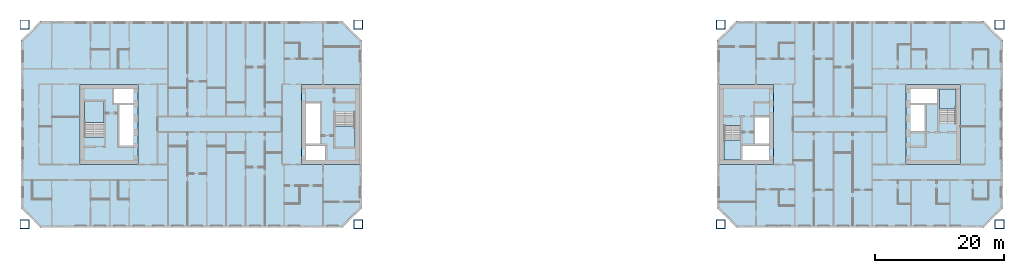
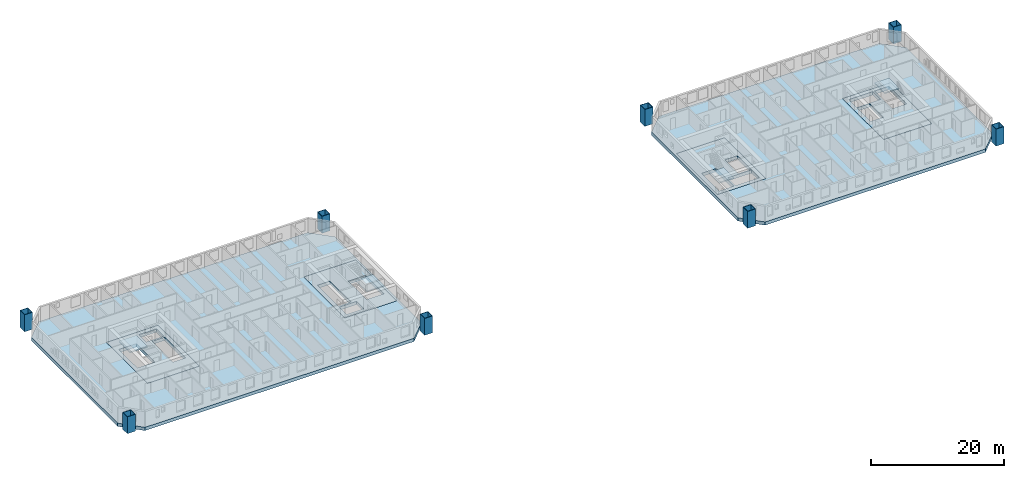
# One storey, part 1 of 17: 10 slabs, 8 columns, 4 elements without a shape of their own.
"""IFC4 building model written with IfcOpenShell, lengths in metres."""

from ifc_helpers import new_model, si_unit, direction, frame, origin, origin_2d, place, context, subcontext, project, spatial, polyline, hollow_rectangle, outline, extrude, material, layer, layer_set, material_profile, profile_set, type_object, element, aggregate, save


model = new_model("IFC4")

# Units and contexts
model_context = context("Model", 3, precision=1e-05, world=origin(), true_north=direction((0.0, 1.0)))
body_context = subcontext(model_context, "Body", "Model", "MODEL_VIEW")
ifc_project = project(units=[si_unit("LENGTHUNIT", "METRE"), si_unit("AREAUNIT", "SQUARE_METRE"), si_unit("VOLUMEUNIT", "CUBIC_METRE"), si_unit("PLANEANGLEUNIT", "RADIAN"), si_unit("MASSUNIT", "GRAM", prefix="KILO")], contexts=[model_context])

# Site, building, storey
site_placement = place(None, origin())
site = spatial("IfcSite", under=ifc_project, at=site_placement, CompositionType="ELEMENT")
building_placement = place(site_placement, origin())
building = spatial("IfcBuilding", under=site, at=building_placement, Name="Tuart Gate Housing", CompositionType="ELEMENT")
storey_placement = place(building_placement, frame((0.0, 0.0, 71.60009765625)))
storey = spatial("IfcBuildingStorey", under=building, at=storey_placement, Name="L19", CompositionType="ELEMENT", Elevation=71.60009765625)

# Columns
ifc_material_1 = material(Name="Steel Grade 350", Category="steel")
ifc_material_profile = material_profile(ifc_material_1, hollow_rectangle(XDim=1.39990234375, YDim=1.39990234375, WallThickness=0.074951171875, at=origin_2d()), Name="BOX 1400x1400x75")
ifc_profile_set = profile_set([ifc_material_profile], Name="Steel Grade 350")
column_type = type_object("IfcColumnType", Name="Mega column BOX 1400x1400x75", PredefinedType="COLUMN", material=ifc_profile_set)
for number, where, z_axis, x_axis, name in (
    (1, (23.800048828125, 54.550048828125, 0.0), (0.0, 0.0, 1.0), (1.0, 0.0, 0.0), "Mega column A south-west L19"),
    (2, (75.449951171875, 54.550048828125, 0.0), (0.0, 0.0, 1.0), (1.0, 0.0, 0.0), "Mega column A south-east L19"),
    (3, (75.449951171875, 85.449951171875, 0.0), (0.0, 0.0, 1.0), (1.0, 0.0, 0.0), "Mega column A north-east L19"),
    (4, (23.800048828125, 85.449951171875, 0.0), (0.0, 0.0, 1.0), (1.0, 0.0, 0.0), "Mega column A north-west L19"),
    (5, (131.550048828125, 54.550048828125, 0.0), (0.0, 0.0, 1.0), (1.0, 0.0, 0.0), "Mega column B south-west L19"),
    (6, (174.699951171875, 54.550048828125, 0.0), (0.0, 0.0, 1.0), (1.0, 0.0, 0.0), "Mega column B south-east L19"),
    (7, (174.699951171875, 85.449951171875, 0.0), (0.0, 0.0, 1.0), (1.0, 0.0, 0.0), "Mega column B north-east L19"),
    (8, (131.550048828125, 85.449951171875, 0.0), (0.0, 0.0, 1.0), (1.0, 0.0, 0.0), "Mega column B north-west L19"),
):
    element("IfcColumn", number, at=place(storey_placement, frame(where, z_axis=z_axis, x_axis=x_axis)), inside=storey, type_object=column_type, Name=name, PredefinedType="COLUMN", context=body_context, shape_type="SweptSolid", body=[
        extrude(hollow_rectangle(XDim=1.39990234375, YDim=1.39990234375, WallThickness=0.074951171875, at=origin_2d()), origin(), (0.0, 0.0, 1.0), 3.099853515625),
    ])

# Slabs
ifc_material_2 = material(Name="Concrete C40", Category="concrete")
ifc_layer_1 = layer(ifc_material_2, 0.60009765625)
ifc_layer_set_1 = layer_set([ifc_layer_1], Name="Core floor slab 600")
slab_type_1 = type_object("IfcSlabType", Name="Core floor slab 600", PredefinedType="FLOOR", material=ifc_layer_set_1)
slab_1_placement = place(storey_placement, frame((0.0, 0.0, -0.60009765625)))
element("IfcSlab", 9, at=slab_1_placement, inside=storey, type_object=slab_type_1, Name="Core floor AG", PredefinedType="FLOOR", context=body_context, shape_type="SweptSolid", body=[
    extrude(outline(polyline([(66.639892578125, 63.800048828125), (75.639892578125, 63.800048828125), (75.639892578125, 76.199951171875), (66.639892578125, 76.199951171875), (66.639892578125, 63.800048828125)]), holes=[polyline([(67.340087890625, 64.5), (70.360107421875, 64.5), (70.360107421875, 66.699951171875), (67.340087890625, 66.699951171875), (67.340087890625, 64.5)]), polyline([(67.340087890625, 67.0), (69.5400390625, 67.0), (69.5400390625, 73.300048828125), (67.340087890625, 73.300048828125), (67.340087890625, 67.0)]), polyline([(71.889892578125, 66.35009765625), (74.93994140625, 66.35009765625), (74.93994140625, 71.929931640625), (71.889892578125, 71.929931640625), (71.889892578125, 66.35009765625)])]), origin(), (0.0, 0.0, 1.0), 0.60009765625),
])
slab_2_placement = place(storey_placement, frame((0.0, 0.0, -0.60009765625)))
element("IfcSlab", 10, at=slab_2_placement, inside=storey, type_object=slab_type_1, Name="Core floor AK", PredefinedType="FLOOR", context=body_context, shape_type="SweptSolid", body=[
    extrude(outline(polyline([(32.360107421875, 63.800048828125), (41.360107421875, 63.800048828125), (41.360107421875, 76.199951171875), (32.360107421875, 76.199951171875), (32.360107421875, 63.800048828125)]), holes=[polyline([(40.659912109375, 75.5), (37.639892578125, 75.5), (37.639892578125, 73.300048828125), (40.659912109375, 73.300048828125), (40.659912109375, 75.5)]), polyline([(40.659912109375, 73.0), (38.4599609375, 73.0), (38.4599609375, 66.699951171875), (40.659912109375, 66.699951171875), (40.659912109375, 73.0)]), polyline([(36.110107421875, 73.64990234375), (33.06005859375, 73.64990234375), (33.06005859375, 68.070068359375), (36.110107421875, 68.070068359375), (36.110107421875, 73.64990234375)])]), origin(), (0.0, 0.0, 1.0), 0.60009765625),
])
slab_3_placement = place(storey_placement, frame((0.0, 0.0, -0.60009765625)))
element("IfcSlab", 11, at=slab_3_placement, inside=storey, type_object=slab_type_1, Name="Core floor BG", PredefinedType="FLOOR", context=body_context, shape_type="SweptSolid", body=[
    extrude(outline(polyline([(131.360107421875, 63.800048828125), (139.760009765625, 63.800048828125), (139.760009765625, 76.199951171875), (131.360107421875, 76.199951171875), (131.360107421875, 63.800048828125)]), holes=[polyline([(139.06005859375, 66.85009765625), (134.909912109375, 66.85009765625), (134.909912109375, 64.5), (139.06005859375, 64.5), (139.06005859375, 66.85009765625)]), polyline([(139.06005859375, 71.10009765625), (136.860107421875, 71.10009765625), (136.860107421875, 67.0), (139.06005859375, 67.0), (139.06005859375, 71.10009765625)]), polyline([(134.610107421875, 69.830078125), (132.06005859375, 69.830078125), (132.06005859375, 64.5), (134.610107421875, 64.5), (134.610107421875, 69.830078125)])]), origin(), (0.0, 0.0, 1.0), 0.60009765625),
])
slab_4_placement = place(storey_placement, frame((0.0, 0.0, -0.60009765625)))
element("IfcSlab", 12, at=slab_4_placement, inside=storey, type_object=slab_type_1, Name="Core floor BK", PredefinedType="FLOOR", context=body_context, shape_type="SweptSolid", body=[
    extrude(outline(polyline([(160.239990234375, 63.800048828125), (168.639892578125, 63.800048828125), (168.639892578125, 76.199951171875), (160.239990234375, 76.199951171875), (160.239990234375, 63.800048828125)]), holes=[polyline([(160.93994140625, 73.14990234375), (165.090087890625, 73.14990234375), (165.090087890625, 75.5), (160.93994140625, 75.5), (160.93994140625, 73.14990234375)]), polyline([(160.93994140625, 68.89990234375), (163.139892578125, 68.89990234375), (163.139892578125, 73.0), (160.93994140625, 73.0), (160.93994140625, 68.89990234375)]), polyline([(165.389892578125, 70.169921875), (167.93994140625, 70.169921875), (167.93994140625, 75.5), (165.389892578125, 75.5), (165.389892578125, 70.169921875)])]), origin(), (0.0, 0.0, 1.0), 0.60009765625),
])

# Stair, slab
ifc_material_3 = material(Name="Concrete C40", Category="concrete")
stair_type_1 = type_object("IfcStairType", Name="Core stair 1500", PredefinedType="HALF_TURN_STAIR", material=ifc_material_3)
stair_1_placement = place(storey_placement, origin())
stair_1 = element("IfcStair", 13, at=stair_1_placement, inside=storey, type_object=stair_type_1, Name="Stair SA1", PredefinedType="HALF_TURN_STAIR")
ifc_material_4 = material(Name="Concrete C40", Category="concrete")
ifc_layer_2 = layer(ifc_material_4, 0.199951171875)
ifc_layer_set_2 = layer_set([ifc_layer_2], Name="Stair landing 200")
slab_type_2 = type_object("IfcSlabType", Name="Stair landing 200", PredefinedType="LANDING", material=ifc_layer_set_2)
slab_5_placement = place(storey_placement, frame((0.0, 0.0, 1.349853515625)))
slab_5 = element("IfcSlab", 14, at=slab_5_placement, type_object=slab_type_2, Name="SA1 landing 1", PredefinedType="LANDING", context=body_context, shape_type="SweptSolid", body=[
    extrude(outline(polyline([(71.889892578125, 66.35009765625), (74.93994140625, 66.35009765625), (74.93994140625, 69.7099609375), (71.889892578125, 69.7099609375), (71.889892578125, 66.35009765625)])), origin(), (0.0, 0.0, 1.0), 0.199951171875),
])
aggregate(stair_1, [slab_5])

stair_2_placement = place(storey_placement, origin())
stair_2 = element("IfcStair", 15, at=stair_2_placement, inside=storey, type_object=stair_type_1, Name="Stair SA2", PredefinedType="HALF_TURN_STAIR")
slab_6_placement = place(storey_placement, frame((0.0, 0.0, 1.349853515625)))
slab_6 = element("IfcSlab", 16, at=slab_6_placement, type_object=slab_type_2, Name="SA2 landing 1", PredefinedType="LANDING", context=body_context, shape_type="SweptSolid", body=[
    extrude(outline(polyline([(36.110107421875, 73.64990234375), (33.06005859375, 73.64990234375), (33.06005859375, 70.2900390625), (36.110107421875, 70.2900390625), (36.110107421875, 73.64990234375)])), origin(), (0.0, 0.0, 1.0), 0.199951171875),
])
aggregate(stair_2, [slab_6])

ifc_material_5 = material(Name="Concrete C40", Category="concrete")
stair_type_2 = type_object("IfcStairType", Name="Core stair 1250", PredefinedType="HALF_TURN_STAIR", material=ifc_material_5)
stair_3_placement = place(storey_placement, origin())
stair_3 = element("IfcStair", 17, at=stair_3_placement, inside=storey, type_object=stair_type_2, Name="Stair SB1", PredefinedType="HALF_TURN_STAIR")
slab_7_placement = place(storey_placement, frame((0.0, 0.0, 1.349853515625)))
slab_7 = element("IfcSlab", 18, at=slab_7_placement, type_object=slab_type_2, Name="SB1 landing 1", PredefinedType="LANDING", context=body_context, shape_type="SweptSolid", body=[
    extrude(outline(polyline([(134.610107421875, 67.610107421875), (132.06005859375, 67.610107421875), (132.06005859375, 64.5), (134.610107421875, 64.5), (134.610107421875, 67.610107421875)])), origin(), (0.0, 0.0, 1.0), 0.199951171875),
])
aggregate(stair_3, [slab_7])

stair_4_placement = place(storey_placement, origin())
stair_4 = element("IfcStair", 19, at=stair_4_placement, inside=storey, type_object=stair_type_2, Name="Stair SB2", PredefinedType="HALF_TURN_STAIR")
slab_8_placement = place(storey_placement, frame((0.0, 0.0, 1.349853515625)))
slab_8 = element("IfcSlab", 20, at=slab_8_placement, type_object=slab_type_2, Name="SB2 landing 1", PredefinedType="LANDING", context=body_context, shape_type="SweptSolid", body=[
    extrude(outline(polyline([(165.389892578125, 72.389892578125), (167.93994140625, 72.389892578125), (167.93994140625, 75.5), (165.389892578125, 75.5), (165.389892578125, 72.389892578125)])), origin(), (0.0, 0.0, 1.0), 0.199951171875),
])
aggregate(stair_4, [slab_8])

# Slabs
ifc_material_6 = material(Name="Concrete C40", Category="concrete")
ifc_layer_3 = layer(ifc_material_6, 0.60009765625)
ifc_layer_set_3 = layer_set([ifc_layer_3], Name="Transfer plate 600")
slab_type_3 = type_object("IfcSlabType", Name="Transfer plate 600", PredefinedType="FLOOR", material=ifc_layer_set_3)
slab_9_placement = place(storey_placement, frame((0.0, 0.0, -0.60009765625)))
element("IfcSlab", 21, at=slab_9_placement, inside=storey, type_object=slab_type_3, Name="Floor slab A L19", PredefinedType="FLOOR", context=body_context, shape_type="SweptSolid", body=[
    extrude(outline(polyline([(26.25, 86.0), (23.25, 83.0), (23.25, 57.0), (26.25, 54.0), (73.0, 54.0), (76.0, 57.0), (76.0, 83.0), (73.0, 86.0), (26.25, 86.0)]), holes=[polyline([(66.639892578125, 76.199951171875), (75.639892578125, 76.199951171875), (75.639892578125, 63.800048828125), (66.639892578125, 63.800048828125), (66.639892578125, 76.199951171875)]), polyline([(41.360107421875, 76.199951171875), (41.360107421875, 63.800048828125), (32.360107421875, 63.800048828125), (32.360107421875, 76.199951171875), (41.360107421875, 76.199951171875)])]), origin(), (0.0, 0.0, 1.0), 0.60009765625),
])
slab_10_placement = place(storey_placement, frame((0.0, 0.0, -0.60009765625)))
element("IfcSlab", 22, at=slab_10_placement, inside=storey, type_object=slab_type_3, Name="Floor slab B L19", PredefinedType="FLOOR", context=body_context, shape_type="SweptSolid", body=[
    extrude(outline(polyline([(134.0, 86.0), (131.0, 83.0), (131.0, 57.0), (134.0, 54.0), (172.25, 54.0), (175.25, 57.0), (175.25, 83.0), (172.25, 86.0), (134.0, 86.0)]), holes=[polyline([(131.360107421875, 76.199951171875), (139.760009765625, 76.199951171875), (139.760009765625, 63.800048828125), (131.360107421875, 63.800048828125), (131.360107421875, 76.199951171875)]), polyline([(168.639892578125, 76.199951171875), (168.639892578125, 63.800048828125), (160.239990234375, 63.800048828125), (160.239990234375, 76.199951171875), (168.639892578125, 76.199951171875)])]), origin(), (0.0, 0.0, 1.0), 0.60009765625),
])

save(model, "model.ifc")
